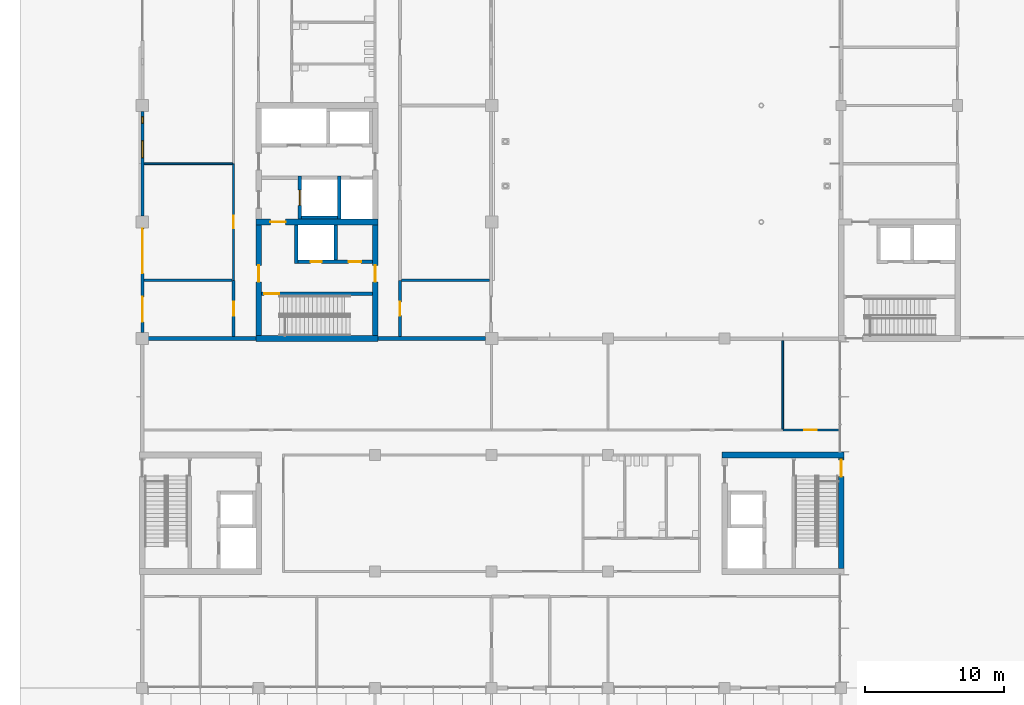
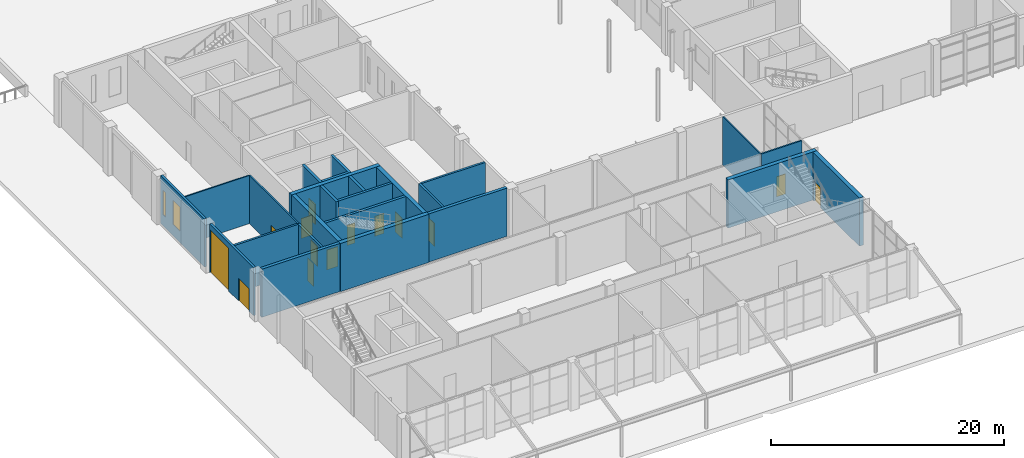
# One storey, part 34 of 76: 25 walls, 14 doors, 2 windows, 16 openings.
"""IFC4 building model written with IfcOpenShell, lengths in metres."""

from ifc_helpers import new_model, si_unit, direction, frame, frame_2d, origin, place, context, subcontext, project, spatial, rectangle, extrude, material, layer, layer_set, type_object, element, fill, save


model = new_model("IFC4")

# Units and contexts
model_context = context("Model", 3, precision=1e-05, world=origin(), true_north=direction((0.0, 1.0)))
body_context = subcontext(model_context, "Body", "Model", "MODEL_VIEW")
ifc_project = project(units=[si_unit("LENGTHUNIT", "METRE"), si_unit("AREAUNIT", "SQUARE_METRE"), si_unit("VOLUMEUNIT", "CUBIC_METRE"), si_unit("PLANEANGLEUNIT", "RADIAN"), si_unit("MASSUNIT", "GRAM", prefix="KILO")], contexts=[model_context])

# Site, building, storey
site_placement = place(None, origin())
site = spatial("IfcSite", under=ifc_project, at=site_placement, CompositionType="ELEMENT")
building_placement = place(site_placement, origin())
building = spatial("IfcBuilding", under=site, at=building_placement, Name="Hlaing Beacon Police Headquarters", CompositionType="ELEMENT")
storey_placement = place(building_placement, origin())
storey = spatial("IfcBuildingStorey", under=building, at=storey_placement, Name="L00", CompositionType="ELEMENT", Elevation=0.0)

# Walls
ifc_material_1 = material(Name="Concrete C40/50", Category="concrete")
ifc_layer_1 = layer(ifc_material_1, 0.300048828125)
ifc_layer_set_1 = layer_set([ifc_layer_1], Name="Concrete C40/50")
wall_type_1 = type_object("IfcWallType", Name="Compartment wall 300", PredefinedType="SOLIDWALL", material=ifc_layer_set_1)
for number, where, z_axis, x_axis, name in (
    (1, (33.169921875, 33.60009765625, 0.0), (0.0, 0.0, 1.0), (-1.0, 0.0, 0.0), "Compartment wall L00 N056"),
    (2, (16.60009765625, 33.60009765625, 0.0), (0.0, 0.0, 1.0), (-1.0, 0.0, 0.0), "Compartment wall L00 N057"),
):
    element("IfcWall", number, at=place(storey_placement, frame(where, z_axis=z_axis, x_axis=x_axis)), inside=storey, type_object=wall_type_1, Name=name, PredefinedType="SOLIDWALL", context=body_context, shape_type="SweptSolid", body=[
        extrude(rectangle(XDim=7.77001953125, YDim=0.300048828125, at=frame_2d((3.885009765625, 0.0))), origin(), (0.0, 0.0, 1.0), 5.050048828125),
    ])
ifc_material_2 = material(Name="Concrete C60/75", Category="concrete")
ifc_layer_2 = layer(ifc_material_2, 0.39990234375)
ifc_layer_set_2 = layer_set([ifc_layer_2], Name="Concrete C60/75")
wall_type_2 = type_object("IfcWallType", Name="Core shear wall 400", PredefinedType="SHEAR", material=ifc_layer_set_2)
wall_1_placement = place(storey_placement, frame((50.199951171875, 25.199951171875, 0.0), z_axis=(0.0, 0.0, 1.0), x_axis=(1.0, 0.0, 0.0)))
element("IfcWall", 3, at=wall_1_placement, inside=storey, type_object=wall_type_2, Name="Core shear wall", PredefinedType="SHEAR", context=body_context, shape_type="SweptSolid", body=[
    extrude(rectangle(XDim=8.800048828125, YDim=0.39990234375, at=frame_2d((4.39990234375, 0.0))), origin(), (0.0, 0.0, 1.0), 5.050048828125),
])

# Wall, opening, door
wall_2_placement = place(storey_placement, frame((58.800048828125, 17.0, 0.0), z_axis=(0.0, 0.0, 1.0), x_axis=(0.0, 1.0, 0.0)))
wall_2 = element("IfcWall", 4, at=wall_2_placement, inside=storey, type_object=wall_type_2, Name="Core shear wall", PredefinedType="SHEAR", context=body_context, shape_type="SweptSolid", body=[
    extrude(rectangle(XDim=8.0, YDim=0.39990234375, at=frame_2d((4.0, 0.0))), origin(), (0.0, 0.0, 1.0), 5.050048828125),
])
opening_1_placement = place(wall_2_placement, frame((6.64990234375, 0.0, 0.0)))
opening_1 = element("IfcOpeningElement", 5, at=opening_1_placement, cuts=wall_2, Name="Opening L00-944", PredefinedType="OPENING", context=body_context, shape_type="SweptSolid", body=[
    extrude(rectangle(XDim=1.199951171875, YDim=2.10009765625, at=frame_2d((0.60009765625, 1.050048828125))), frame((0.0, 0.2099609375, 0.0), z_axis=(0.0, -1.0, 0.0), x_axis=(1.0, 0.0, 0.0)), (0.0, 0.0, 1.0), 0.419921875),
])
ifc_material_3 = material(Name="Steel fire door leaf", Category="steel")
ifc_layer_3 = layer(ifc_material_3, 0.070068359375)
ifc_layer_set_3 = layer_set([ifc_layer_3], Name="Steel fire door leaf")
door_type_1 = type_object("IfcDoorType", Name="Steel fire door FD60 1200x2100", OperationType="SINGLE_SWING_LEFT", PredefinedType="DOOR", material=ifc_layer_set_3)
door_1_placement = place(opening_1_placement, frame((1.199951171875, 0.0, 0.0), z_axis=(0.0, 0.0, 1.0), x_axis=(-1.0, 0.0, 0.0)))
door_1 = element("IfcDoor", 6, at=door_1_placement, inside=storey, type_object=door_type_1, Name="Door Stair ST-K Exit", OperationType="SINGLE_SWING_RIGHT", OverallHeight=2.10009765625, OverallWidth=1.199951171875, PredefinedType="DOOR", context=body_context, shape_type="SweptSolid", body=[
    extrude(rectangle(XDim=1.199951171875, YDim=2.10009765625, at=frame_2d((0.599853515625, 1.050048828125))), frame((0.0, 0.034912109375, 0.0), z_axis=(0.0, -1.0, 0.0), x_axis=(1.0, 0.0, 0.0)), (0.0, 0.0, 1.0), 0.070068359375),
])
fill(opening_1, door_1)

wall_3_placement = place(storey_placement, frame((16.60009765625, 42.0, 0.0), z_axis=(0.0, 0.0, 1.0), x_axis=(1.0, 0.0, 0.0)))
wall_3 = element("IfcWall", 7, at=wall_3_placement, inside=storey, type_object=wall_type_2, Name="Core shear wall", PredefinedType="SHEAR", context=body_context, shape_type="SweptSolid", body=[
    extrude(rectangle(XDim=8.7998046875, YDim=0.39990234375, at=frame_2d((4.39990234375, 0.0))), origin(), (0.0, 0.0, 1.0), 5.050048828125),
])
opening_2_placement = place(wall_3_placement, frame((1.050048828125, 0.0, 0.0)))
opening_2 = element("IfcOpeningElement", 8, at=opening_2_placement, cuts=wall_3, Name="Opening L00-963", PredefinedType="OPENING", context=body_context, shape_type="SweptSolid", body=[
    extrude(rectangle(XDim=1.10009765625, YDim=2.10009765625, at=frame_2d((0.550048828125, 1.050048828125))), frame((0.0, 0.2099609375, 0.0), z_axis=(0.0, -1.0, 0.0), x_axis=(1.0, 0.0, 0.0)), (0.0, 0.0, 1.0), 0.419921875),
])
ifc_material_4 = material(Name="Steel fire door leaf", Category="steel")
ifc_layer_4 = layer(ifc_material_4, 0.070068359375)
ifc_layer_set_4 = layer_set([ifc_layer_4], Name="Steel fire door leaf")
door_type_2 = type_object("IfcDoorType", Name="Steel fire door FD60S 1100x2100", OperationType="SINGLE_SWING_LEFT", PredefinedType="DOOR", material=ifc_layer_set_4)
door_2_placement = place(opening_2_placement, frame((1.10009765625, 0.0, 0.0), z_axis=(0.0, 0.0, 1.0), x_axis=(-1.0, 0.0, 0.0)))
door_2 = element("IfcDoor", 9, at=door_2_placement, inside=storey, type_object=door_type_2, Name="Door Firefighting Lobby Stair", OperationType="SINGLE_SWING_LEFT", OverallHeight=2.10009765625, OverallWidth=1.10009765625, PredefinedType="DOOR", context=body_context, shape_type="SweptSolid", body=[
    extrude(rectangle(XDim=1.10009765625, YDim=2.10009765625, at=frame_2d((0.550048828125, 1.050048828125))), frame((0.0, 0.034912109375, 0.0), z_axis=(0.0, -1.0, 0.0), x_axis=(1.0, 0.0, 0.0)), (0.0, 0.0, 1.0), 0.070068359375),
])
fill(opening_2, door_2)

# Wall
wall_4_placement = place(storey_placement, frame((16.60009765625, 33.60009765625, 0.0), z_axis=(0.0, 0.0, 1.0), x_axis=(1.0, 0.0, 0.0)))
element("IfcWall", 10, at=wall_4_placement, inside=storey, type_object=wall_type_2, Name="Core shear wall", PredefinedType="SHEAR", context=body_context, shape_type="SweptSolid", body=[
    extrude(rectangle(XDim=8.7998046875, YDim=0.39990234375, at=frame_2d((4.39990234375, 0.0))), origin(), (0.0, 0.0, 1.0), 5.050048828125),
])

# Wall, opening, door
wall_5_placement = place(storey_placement, frame((16.800048828125, 33.800048828125, 0.0), z_axis=(0.0, 0.0, 1.0), x_axis=(0.0, 1.0, 0.0)))
wall_5 = element("IfcWall", 11, at=wall_5_placement, inside=storey, type_object=wall_type_2, Name="Core shear wall", PredefinedType="SHEAR", context=body_context, shape_type="SweptSolid", body=[
    extrude(rectangle(XDim=8.0, YDim=0.39990234375, at=frame_2d((4.0, 0.0))), origin(), (0.0, 0.0, 1.0), 5.050048828125),
])
opening_3_placement = place(wall_5_placement, frame((3.875, 0.0, 0.0)))
opening_3 = element("IfcOpeningElement", 12, at=opening_3_placement, cuts=wall_5, Name="Opening L00-973", PredefinedType="OPENING", context=body_context, shape_type="SweptSolid", body=[
    extrude(rectangle(XDim=1.199951171875, YDim=2.10009765625, at=frame_2d((0.60009765625, 1.050048828125))), frame((0.0, 0.2099609375, 0.0), z_axis=(0.0, -1.0, 0.0), x_axis=(1.0, 0.0, 0.0)), (0.0, 0.0, 1.0), 0.419921875),
])
ifc_material_5 = material(Name="Steel fire door leaf", Category="steel")
ifc_layer_5 = layer(ifc_material_5, 0.070068359375)
ifc_layer_set_5 = layer_set([ifc_layer_5], Name="Steel fire door leaf")
door_type_3 = type_object("IfcDoorType", Name="Steel fire door FD60S 1200x2100", OperationType="SINGLE_SWING_LEFT", PredefinedType="DOOR", material=ifc_layer_set_5)
door_3_placement = place(opening_3_placement, frame((1.199951171875, 0.0, 0.0), z_axis=(0.0, 0.0, 1.0), x_axis=(-1.0, 0.0, 0.0)))
door_3 = element("IfcDoor", 13, at=door_3_placement, inside=storey, type_object=door_type_3, Name="Door Stair Lobby ST-N Entry", OperationType="SINGLE_SWING_RIGHT", OverallHeight=2.10009765625, OverallWidth=1.199951171875, PredefinedType="DOOR", context=body_context, shape_type="SweptSolid", body=[
    extrude(rectangle(XDim=1.199951171875, YDim=2.10009765625, at=frame_2d((0.599853515625, 1.050048828125))), frame((0.0, 0.034912109375, 0.0), z_axis=(0.0, -1.0, 0.0), x_axis=(1.0, 0.0, 0.0)), (0.0, 0.0, 1.0), 0.070068359375),
])
fill(opening_3, door_3)

wall_6_placement = place(storey_placement, frame((25.199951171875, 33.800048828125, 0.0), z_axis=(0.0, 0.0, 1.0), x_axis=(0.0, 1.0, 0.0)))
wall_6 = element("IfcWall", 14, at=wall_6_placement, inside=storey, type_object=wall_type_2, Name="Core shear wall", PredefinedType="SHEAR", context=body_context, shape_type="SweptSolid", body=[
    extrude(rectangle(XDim=8.0, YDim=0.39990234375, at=frame_2d((4.0, 0.0))), origin(), (0.0, 0.0, 1.0), 5.050048828125),
])
opening_4_placement = place(wall_6_placement, frame((3.875, 0.0, 0.0)))
opening_4 = element("IfcOpeningElement", 15, at=opening_4_placement, cuts=wall_6, Name="Opening L00-974", PredefinedType="OPENING", context=body_context, shape_type="SweptSolid", body=[
    extrude(rectangle(XDim=1.199951171875, YDim=2.10009765625, at=frame_2d((0.60009765625, 1.050048828125))), frame((0.0, 0.2099609375, 0.0), z_axis=(0.0, -1.0, 0.0), x_axis=(1.0, 0.0, 0.0)), (0.0, 0.0, 1.0), 0.419921875),
])
door_4_placement = place(opening_4_placement, origin())
door_4 = element("IfcDoor", 16, at=door_4_placement, inside=storey, type_object=door_type_3, Name="Door Stair Lobby ST-N Entry", OperationType="SINGLE_SWING_LEFT", OverallHeight=2.10009765625, OverallWidth=1.199951171875, PredefinedType="DOOR", context=body_context, shape_type="SweptSolid", body=[
    extrude(rectangle(XDim=1.199951171875, YDim=2.10009765625, at=frame_2d((0.60009765625, 1.050048828125))), frame((0.0, 0.03515625, 0.0), z_axis=(0.0, -1.0, 0.0), x_axis=(1.0, 0.0, 0.0)), (0.0, 0.0, 1.0), 0.070068359375),
])
fill(opening_4, door_4)

ifc_material_6 = material(Name="Gypsum board partition")
ifc_layer_6 = layer(ifc_material_6, 0.14990234375)
ifc_layer_set_6 = layer_set([ifc_layer_6], Name="Gypsum board partition")
wall_type_3 = type_object("IfcWallType", Name="Corridor wall EI 30 150", PredefinedType="PARTITIONING", material=ifc_layer_set_6)
wall_7_placement = place(storey_placement, frame((54.60009765625, 27.0, 0.0), z_axis=(0.0, 0.0, 1.0), x_axis=(1.0, 0.0, 0.0)))
wall_7 = element("IfcWall", 17, at=wall_7_placement, inside=storey, type_object=wall_type_3, Name="Corridor wall EI 30 150", PredefinedType="PARTITIONING", context=body_context, shape_type="SweptSolid", body=[
    extrude(rectangle(XDim=4.0498046875, YDim=0.14990234375, at=frame_2d((2.02490234375, 0.0))), origin(), (0.0, 0.0, 1.0), 5.050048828125),
])
opening_5_placement = place(wall_7_placement, frame((1.550048828125, 0.0, 0.0)))
opening_5 = element("IfcOpeningElement", 18, at=opening_5_placement, cuts=wall_7, Name="Opening L00-038", PredefinedType="OPENING", context=body_context, shape_type="SweptSolid", body=[
    extrude(rectangle(XDim=0.89990234375, YDim=2.10009765625, at=frame_2d((0.449951171875, 1.050048828125))), frame((0.0, 0.0849609375, 0.0), z_axis=(0.0, -1.0, 0.0), x_axis=(1.0, 0.0, 0.0)), (0.0, 0.0, 1.0), 0.169921875),
])
ifc_material_7 = material(Name="Hardwood door leaf", Category="wood")
ifc_layer_7 = layer(ifc_material_7, 0.050048828125)
ifc_layer_set_7 = layer_set([ifc_layer_7], Name="Hardwood door leaf")
door_type_4 = type_object("IfcDoorType", Name="Fire door FD30S 900x2100", OperationType="SINGLE_SWING_LEFT", PredefinedType="DOOR", material=ifc_layer_set_7)
door_5_placement = place(opening_5_placement, origin())
door_5 = element("IfcDoor", 19, at=door_5_placement, inside=storey, type_object=door_type_4, Name="Door Lost Property Office", OperationType="SINGLE_SWING_LEFT", OverallHeight=2.10009765625, OverallWidth=0.89990234375, PredefinedType="DOOR", context=body_context, shape_type="SweptSolid", body=[
    extrude(rectangle(XDim=0.89990234375, YDim=2.10009765625, at=frame_2d((0.449951171875, 1.050048828125))), frame((0.0, 0.02490234375, 0.0), z_axis=(0.0, -1.0, 0.0), x_axis=(1.0, 0.0, 0.0)), (0.0, 0.0, 1.0), 0.050048828125),
])
fill(opening_5, door_5)

wall_8_placement = place(storey_placement, frame((15.0, 37.800048828125, 0.0), z_axis=(0.0, 0.0, 1.0), x_axis=(0.0, 1.0, 0.0)))
wall_8 = element("IfcWall", 20, at=wall_8_placement, inside=storey, type_object=wall_type_3, Name="Corridor wall EI 30 150", PredefinedType="PARTITIONING", context=body_context, shape_type="SweptSolid", body=[
    extrude(rectangle(XDim=8.39990234375, YDim=0.14990234375, at=frame_2d((4.199951171875, 0.0))), origin(), (0.0, 0.0, 1.0), 5.050048828125),
])
opening_6_placement = place(wall_8_placement, frame((3.75, 0.0, 0.0)))
opening_6 = element("IfcOpeningElement", 21, at=opening_6_placement, cuts=wall_8, Name="Opening L00-074", PredefinedType="OPENING", context=body_context, shape_type="SweptSolid", body=[
    extrude(rectangle(XDim=0.89990234375, YDim=2.10009765625, at=frame_2d((0.449951171875, 1.050048828125))), frame((0.0, 0.0849609375, 0.0), z_axis=(0.0, -1.0, 0.0), x_axis=(1.0, 0.0, 0.0)), (0.0, 0.0, 1.0), 0.169921875),
])
door_6_placement = place(opening_6_placement, origin())
door_6 = element("IfcDoor", 22, at=door_6_placement, inside=storey, type_object=door_type_4, Name="Door Forensic Loading Dock", OperationType="SINGLE_SWING_RIGHT", OverallHeight=2.10009765625, OverallWidth=0.89990234375, PredefinedType="DOOR", context=body_context, shape_type="SweptSolid", body=[
    extrude(rectangle(XDim=0.89990234375, YDim=2.10009765625, at=frame_2d((0.449951171875, 1.050048828125))), frame((0.0, 0.02490234375, 0.0), z_axis=(0.0, -1.0, 0.0), x_axis=(1.0, 0.0, 0.0)), (0.0, 0.0, 1.0), 0.050048828125),
])
fill(opening_6, door_6)

ifc_material_8 = material(Name="Concrete blockwork 7.5 N/mm2", Category="masonry")
ifc_layer_8 = layer(ifc_material_8, 0.199951171875)
ifc_layer_set_8 = layer_set([ifc_layer_8], Name="Concrete blockwork 7.5 N/mm2")
wall_type_4 = type_object("IfcWallType", Name="Lobby wall EI 120 200", PredefinedType="PARTITIONING", material=ifc_layer_set_8)
wall_9_placement = place(storey_placement, frame((27.0, 33.75, 0.0), z_axis=(0.0, 0.0, 1.0), x_axis=(0.0, 1.0, 0.0)))
wall_9 = element("IfcWall", 23, at=wall_9_placement, inside=storey, type_object=wall_type_4, Name="Lobby wall EI 120 200", PredefinedType="PARTITIONING", context=body_context, shape_type="SweptSolid", body=[
    extrude(rectangle(XDim=4.050048828125, YDim=0.199951171875, at=frame_2d((2.02490234375, 0.0))), origin(), (0.0, 0.0, 1.0), 5.050048828125),
])
opening_7_placement = place(wall_9_placement, frame((1.5, 0.0, 0.0)))
opening_7 = element("IfcOpeningElement", 24, at=opening_7_placement, cuts=wall_9, Name="Opening L00-064", PredefinedType="OPENING", context=body_context, shape_type="SweptSolid", body=[
    extrude(rectangle(XDim=1.0, YDim=2.39990234375, at=frame_2d((0.5, 1.199951171875))), frame((0.0, 0.10986328125, 0.0), z_axis=(0.0, -1.0, 0.0), x_axis=(1.0, 0.0, 0.0)), (0.0, 0.0, 1.0), 0.219970703125),
])
ifc_material_9 = material(Name="Hardwood door leaf", Category="wood")
ifc_layer_9 = layer(ifc_material_9, 0.06005859375)
ifc_layer_set_9 = layer_set([ifc_layer_9], Name="Hardwood door leaf")
door_type_5 = type_object("IfcDoorType", Name="Fire public door FD60S 1000x2400", OperationType="SINGLE_SWING_LEFT", PredefinedType="DOOR", material=ifc_layer_set_9)
door_7_placement = place(opening_7_placement, frame((1.0, 0.0, 0.0), z_axis=(0.0, 0.0, 1.0), x_axis=(-1.0, 0.0, 0.0)))
door_7 = element("IfcDoor", 25, at=door_7_placement, inside=storey, type_object=door_type_5, Name="Door Forensic Laboratory Reception", OperationType="SINGLE_SWING_RIGHT", OverallHeight=2.39990234375, OverallWidth=1.0, PredefinedType="DOOR", context=body_context, shape_type="SweptSolid", body=[
    extrude(rectangle(XDim=1.0, YDim=2.39990234375, at=frame_2d((0.5, 1.199951171875))), frame((0.0, 0.030029296875, 0.0), z_axis=(0.0, -1.0, 0.0), x_axis=(1.0, 0.0, 0.0)), (0.0, 0.0, 1.0), 0.06005859375),
])
fill(opening_7, door_7)

wall_10_placement = place(storey_placement, frame((15.0, 33.75, 0.0), z_axis=(0.0, 0.0, 1.0), x_axis=(0.0, 1.0, 0.0)))
wall_10 = element("IfcWall", 26, at=wall_10_placement, inside=storey, type_object=wall_type_4, Name="Lobby wall EI 120 200", PredefinedType="PARTITIONING", context=body_context, shape_type="SweptSolid", body=[
    extrude(rectangle(XDim=4.050048828125, YDim=0.199951171875, at=frame_2d((2.02490234375, 0.0))), origin(), (0.0, 0.0, 1.0), 5.050048828125),
])
opening_8_placement = place(wall_10_placement, frame((1.5, 0.0, 0.0)))
opening_8 = element("IfcOpeningElement", 27, at=opening_8_placement, cuts=wall_10, Name="Opening L00-073", PredefinedType="OPENING", context=body_context, shape_type="SweptSolid", body=[
    extrude(rectangle(XDim=1.0, YDim=2.39990234375, at=frame_2d((0.5, 1.199951171875))), frame((0.0, 0.10986328125, 0.0), z_axis=(0.0, -1.0, 0.0), x_axis=(1.0, 0.0, 0.0)), (0.0, 0.0, 1.0), 0.219970703125),
])
door_8_placement = place(opening_8_placement, origin())
door_8 = element("IfcDoor", 28, at=door_8_placement, inside=storey, type_object=door_type_5, Name="Door Exit Lobby ST-N", OperationType="SINGLE_SWING_LEFT", OverallHeight=2.39990234375, OverallWidth=1.0, PredefinedType="DOOR", context=body_context, shape_type="SweptSolid", body=[
    extrude(rectangle(XDim=1.0, YDim=2.39990234375, at=frame_2d((0.5, 1.199951171875))), frame((0.0, 0.030029296875, 0.0), z_axis=(0.0, -1.0, 0.0), x_axis=(1.0, 0.0, 0.0)), (0.0, 0.0, 1.0), 0.06005859375),
])
fill(opening_8, door_8)

# Walls
for number, where, z_axis, x_axis, name in (
    (29, (27.10009765625, 37.800048828125, 0.0), (0.0, 0.0, 1.0), (1.0, 0.0, 0.0), "Lobby wall EI 120 200"),
    (30, (8.550048828125, 37.800048828125, 0.0), (0.0, 0.0, 1.0), (1.0, 0.0, 0.0), "Lobby wall EI 120 200"),
):
    element("IfcWall", number, at=place(storey_placement, frame(where, z_axis=z_axis, x_axis=x_axis)), inside=storey, type_object=wall_type_4, Name=name, PredefinedType="PARTITIONING", context=body_context, shape_type="SweptSolid", body=[
        extrude(rectangle(XDim=6.349853515625, YDim=0.199951171875, at=frame_2d((3.1748046875, 0.0))), origin(), (0.0, 0.0, 1.0), 5.050048828125),
    ])
ifc_material_10 = material(Name="Gypsum board partition")
ifc_layer_10 = layer(ifc_material_10, 0.125)
ifc_layer_set_10 = layer_set([ifc_layer_10], Name="Gypsum board partition")
wall_type_5 = type_object("IfcWallType", Name="Partition 125", PredefinedType="PARTITIONING", material=ifc_layer_set_10)
for number, where, z_axis, x_axis, name in (
    (31, (54.60009765625, 27.074951171875, 0.0), (0.0, 0.0, 1.0), (0.0, 1.0, 0.0), "Partition 125"),
    (32, (8.550048828125, 46.199951171875, 0.0), (0.0, 0.0, 1.0), (1.0, 0.0, 0.0), "Partition 125"),
):
    element("IfcWall", number, at=place(storey_placement, frame(where, z_axis=z_axis, x_axis=x_axis)), inside=storey, type_object=wall_type_5, Name=name, PredefinedType="PARTITIONING", context=body_context, shape_type="SweptSolid", body=[
        extrude(rectangle(XDim=6.375, YDim=0.125, at=frame_2d((3.1875, 0.0))), origin(), (0.0, 0.0, 1.0), 5.050048828125),
    ])

# Wall, openings, windows
ifc_material_11 = material(Name="Fibre cement ribbed cladding on insulated frame")
ifc_layer_11 = layer(ifc_material_11, 0.22509765625)
ifc_layer_set_11 = layer_set([ifc_layer_11], Name="Fibre cement ribbed cladding on insulated frame")
wall_type_6 = type_object("IfcWallType", Name="Ribbed fibre-cement clad wall 225", PredefinedType="SOLIDWALL", material=ifc_layer_set_11)
wall_11_placement = place(storey_placement, frame((8.4375, 49.969970703125, 0.0), z_axis=(0.0, 0.0, 1.0), x_axis=(0.0, -1.0, 0.0)))
wall_11 = element("IfcWall", 33, at=wall_11_placement, inside=storey, type_object=wall_type_6, Name="External wall L00 W012", PredefinedType="SOLIDWALL", context=body_context, shape_type="SweptSolid", body=[
    extrude(rectangle(XDim=7.5400390625, YDim=0.22509765625, at=frame_2d((3.77001953125, 0.0))), origin(), (0.0, 0.0, 1.0), 5.050048828125),
])
opening_9_placement = place(wall_11_placement, frame((0.39501953125, 0.0, 1.199951171875)))
opening_9 = element("IfcOpeningElement", 34, at=opening_9_placement, cuts=wall_11, Name="Opening WN6", PredefinedType="OPENING", context=body_context, shape_type="SweptSolid", body=[
    extrude(rectangle(XDim=0.449951171875, YDim=2.550048828125, at=frame_2d((0.22509765625, 1.27490234375))), frame((0.0, 0.12255859375, 0.0), z_axis=(0.0, -1.0, 0.0), x_axis=(1.0, 0.0, 0.0)), (0.0, 0.0, 1.0), 0.2451171875),
])
opening_10_placement = place(wall_11_placement, frame((2.1201171875, 0.0, 1.199951171875)))
opening_10 = element("IfcOpeningElement", 35, at=opening_10_placement, cuts=wall_11, Name="Opening WN7", PredefinedType="OPENING", context=body_context, shape_type="SweptSolid", body=[
    extrude(rectangle(XDim=1.199951171875, YDim=2.550048828125, at=frame_2d((0.60009765625, 1.27490234375))), frame((0.0, 0.12255859375, 0.0), z_axis=(0.0, -1.0, 0.0), x_axis=(1.0, 0.0, 0.0)), (0.0, 0.0, 1.0), 0.2451171875),
])
ifc_material_12 = material(Name="Aluminium frame with solar control glazing", Category="aluminium")
window_type_1 = type_object("IfcWindowType", Name="Module window 1200x2550 frame 100", PartitioningType="SINGLE_PANEL", PredefinedType="WINDOW", material=ifc_material_12)
window_1_placement = place(opening_10_placement, origin())
window_1 = element("IfcWindow", 36, at=window_1_placement, inside=storey, type_object=window_type_1, Name="Window L00 WC", OverallHeight=2.550048828125, OverallWidth=1.199951171875, PartitioningType="SINGLE_PANEL", PredefinedType="WINDOW", context=body_context, shape_type="SweptSolid", body=[
    extrude(rectangle(XDim=1.199951171875, YDim=2.550048828125, at=frame_2d((0.60009765625, 1.27490234375))), frame((0.0, 0.050048828125, 0.0), z_axis=(0.0, -1.0, 0.0), x_axis=(1.0, 0.0, 0.0)), (0.0, 0.0, 1.0), 0.10009765625),
])
fill(opening_10, window_1)
ifc_material_13 = material(Name="Aluminium frame with solar control glazing", Category="aluminium")
window_type_2 = type_object("IfcWindowType", Name="Slot window 450x2550 frame 100", PartitioningType="SINGLE_PANEL", PredefinedType="WINDOW", material=ifc_material_13)
window_2_placement = place(opening_9_placement, origin())
window_2 = element("IfcWindow", 37, at=window_2_placement, inside=storey, type_object=window_type_2, Name="Window L00 WS", OverallHeight=2.550048828125, OverallWidth=0.449951171875, PartitioningType="SINGLE_PANEL", PredefinedType="WINDOW", context=body_context, shape_type="SweptSolid", body=[
    extrude(rectangle(XDim=0.449951171875, YDim=2.550048828125, at=frame_2d((0.22509765625, 1.27490234375))), frame((0.0, 0.050048828125, 0.0), z_axis=(0.0, -1.0, 0.0), x_axis=(1.0, 0.0, 0.0)), (0.0, 0.0, 1.0), 0.10009765625),
])
fill(opening_9, window_2)

# Wall, openings, doors
wall_12_placement = place(storey_placement, frame((8.4375, 41.570068359375, 0.0), z_axis=(0.0, 0.0, 1.0), x_axis=(0.0, -1.0, 0.0)))
wall_12 = element("IfcWall", 38, at=wall_12_placement, inside=storey, type_object=wall_type_6, Name="External wall L00 W013", PredefinedType="SOLIDWALL", context=body_context, shape_type="SweptSolid", body=[
    extrude(rectangle(XDim=7.5400390625, YDim=0.22509765625, at=frame_2d((3.77001953125, 0.0))), origin(), (0.0, 0.0, 1.0), 5.050048828125),
])
opening_11_placement = place(wall_12_placement, frame((0.070068359375, 0.0, 0.0)))
opening_11 = element("IfcOpeningElement", 39, at=opening_11_placement, cuts=wall_12, Name="Opening L00-803", PredefinedType="OPENING", context=body_context, shape_type="SweptSolid", body=[
    extrude(rectangle(XDim=3.199951171875, YDim=4.5, at=frame_2d((1.60009765625, 2.25))), frame((0.0, 0.12255859375, 0.0), z_axis=(0.0, -1.0, 0.0), x_axis=(1.0, 0.0, 0.0)), (0.0, 0.0, 1.0), 0.2451171875),
])
opening_12_placement = place(wall_12_placement, frame((4.969970703125, 0.0, 0.0)))
opening_12 = element("IfcOpeningElement", 40, at=opening_12_placement, cuts=wall_12, Name="Opening L00-804", PredefinedType="OPENING", context=body_context, shape_type="SweptSolid", body=[
    extrude(rectangle(XDim=1.800048828125, YDim=2.39990234375, at=frame_2d((0.89990234375, 1.199951171875))), frame((0.0, 0.12255859375, 0.0), z_axis=(0.0, -1.0, 0.0), x_axis=(1.0, 0.0, 0.0)), (0.0, 0.0, 1.0), 0.2451171875),
])
ifc_material_14 = material(Name="Aluminium framed glazed door", Category="aluminium")
door_type_6 = type_object("IfcDoorType", Name="Entrance door 1800x2400 double", OperationType="DOUBLE_DOOR_DOUBLE_SWING", PredefinedType="DOOR", material=ifc_material_14)
door_9_placement = place(opening_12_placement, frame((1.800048828125, 0.0, 0.0), z_axis=(0.0, 0.0, 1.0), x_axis=(-1.0, 0.0, 0.0)))
door_9 = element("IfcDoor", 41, at=door_9_placement, inside=storey, type_object=door_type_6, Name="Door Exit Lobby ST-N", OperationType="DOUBLE_DOOR_DOUBLE_SWING", OverallHeight=2.39990234375, OverallWidth=1.800048828125, PredefinedType="DOOR", context=body_context, shape_type="SweptSolid", body=[
    extrude(rectangle(XDim=1.800048828125, YDim=2.39990234375, at=frame_2d((0.900146484375, 1.199951171875))), frame((0.0, 0.025146484375, 0.0), z_axis=(0.0, -1.0, 0.0), x_axis=(1.0, 0.0, 0.0)), (0.0, 0.0, 1.0), 0.050048828125),
])
fill(opening_12, door_9)
ifc_material_15 = material(Name="Galvanised steel roller shutter", Category="steel")
door_type_7 = type_object("IfcDoorType", Name="Vehicle gate 3200x4500", OperationType="ROLLINGUP", PredefinedType="GATE", material=ifc_material_15)
door_10_placement = place(opening_11_placement, frame((3.199951171875, 0.0, 0.0), z_axis=(0.0, 0.0, 1.0), x_axis=(-1.0, 0.0, 0.0)))
door_10 = element("IfcDoor", 42, at=door_10_placement, inside=storey, type_object=door_type_7, Name="Door Forensic Loading Dock", OperationType="ROLLINGUP", OverallHeight=4.5, OverallWidth=3.199951171875, PredefinedType="GATE", context=body_context, shape_type="SweptSolid", body=[
    extrude(rectangle(XDim=3.199951171875, YDim=4.5, at=frame_2d((1.599853515625, 2.25))), frame((0.0, 0.025146484375, 0.0), z_axis=(0.0, -1.0, 0.0), x_axis=(1.0, 0.0, 0.0)), (0.0, 0.0, 1.0), 0.050048828125),
])
fill(opening_11, door_10)

# Wall, opening, door
ifc_material_16 = material(Name="Concrete C40/50", Category="concrete")
ifc_layer_12 = layer(ifc_material_16, 0.25)
ifc_layer_set_12 = layer_set([ifc_layer_12], Name="Concrete C40/50")
wall_type_7 = type_object("IfcWallType", Name="Shaft wall 250", PredefinedType="SOLIDWALL", material=ifc_layer_set_12)
wall_13_placement = place(storey_placement, frame((17.0, 36.824951171875, 0.0), z_axis=(0.0, 0.0, 1.0), x_axis=(1.0, 0.0, 0.0)))
wall_13 = element("IfcWall", 43, at=wall_13_placement, inside=storey, type_object=wall_type_7, Name="Stair enclosure wall", PredefinedType="SOLIDWALL", context=body_context, shape_type="SweptSolid", body=[
    extrude(rectangle(XDim=8.0, YDim=0.25, at=frame_2d((4.0, 0.0))), origin(), (0.0, 0.0, 1.0), 5.050048828125),
])
opening_13_placement = place(wall_13_placement, frame((0.199951171875, 0.0, 0.0)))
opening_13 = element("IfcOpeningElement", 44, at=opening_13_placement, cuts=wall_13, Name="Opening L00-976", PredefinedType="OPENING", context=body_context, shape_type="SweptSolid", body=[
    extrude(rectangle(XDim=1.10009765625, YDim=2.10009765625, at=frame_2d((0.550048828125, 1.050048828125))), frame((0.0, 0.135009765625, 0.0), z_axis=(0.0, -1.0, 0.0), x_axis=(1.0, 0.0, 0.0)), (0.0, 0.0, 1.0), 0.27001953125),
])
ifc_material_17 = material(Name="Steel fire door leaf", Category="steel")
ifc_layer_13 = layer(ifc_material_17, 0.070068359375)
ifc_layer_set_13 = layer_set([ifc_layer_13], Name="Steel fire door leaf")
door_type_8 = type_object("IfcDoorType", Name="Steel fire door FD60 1100x2100", OperationType="SINGLE_SWING_LEFT", PredefinedType="DOOR", material=ifc_layer_set_13)
door_11_placement = place(opening_13_placement, frame((1.10009765625, 0.0, 0.0), z_axis=(0.0, 0.0, 1.0), x_axis=(-1.0, 0.0, 0.0)))
door_11 = element("IfcDoor", 45, at=door_11_placement, inside=storey, type_object=door_type_8, Name="Door Stair ST-N", OperationType="SINGLE_SWING_LEFT", OverallHeight=2.10009765625, OverallWidth=1.10009765625, PredefinedType="DOOR", context=body_context, shape_type="SweptSolid", body=[
    extrude(rectangle(XDim=1.10009765625, YDim=2.10009765625, at=frame_2d((0.550048828125, 1.050048828125))), frame((0.0, 0.034912109375, 0.0), z_axis=(0.0, -1.0, 0.0), x_axis=(1.0, 0.0, 0.0)), (0.0, 0.0, 1.0), 0.070068359375),
])
fill(opening_13, door_11)

# Wall
wall_14_placement = place(storey_placement, frame((19.52490234375, 39.0, 0.0), z_axis=(0.0, 0.0, 1.0), x_axis=(0.0, 1.0, 0.0)))
element("IfcWall", 46, at=wall_14_placement, inside=storey, type_object=wall_type_7, Name="Lobby wall", PredefinedType="SOLIDWALL", context=body_context, shape_type="SweptSolid", body=[
    extrude(rectangle(XDim=2.800048828125, YDim=0.25, at=frame_2d((1.39990234375, 0.0))), origin(), (0.0, 0.0, 1.0), 5.050048828125),
])

# Wall, openings, doors
wall_15_placement = place(storey_placement, frame((19.64990234375, 39.125, 0.0), z_axis=(0.0, 0.0, 1.0), x_axis=(1.0, 0.0, 0.0)))
wall_15 = element("IfcWall", 47, at=wall_15_placement, inside=storey, type_object=wall_type_7, Name="Lobby wall", PredefinedType="SOLIDWALL", context=body_context, shape_type="SweptSolid", body=[
    extrude(rectangle(XDim=5.35009765625, YDim=0.25, at=frame_2d((2.675048828125, 0.0))), origin(), (0.0, 0.0, 1.0), 5.050048828125),
])
opening_14_placement = place(wall_15_placement, frame((3.64990234375, 0.0, 0.0)))
opening_14 = element("IfcOpeningElement", 48, at=opening_14_placement, cuts=wall_15, Name="Opening L00-972", PredefinedType="OPENING", context=body_context, shape_type="SweptSolid", body=[
    extrude(rectangle(XDim=0.89990234375, YDim=2.10009765625, at=frame_2d((0.449951171875, 1.050048828125))), frame((0.0, 0.135009765625, 0.0), z_axis=(0.0, -1.0, 0.0), x_axis=(1.0, 0.0, 0.0)), (0.0, 0.0, 1.0), 0.27001953125),
])
opening_15_placement = place(wall_15_placement, frame((0.89990234375, 0.0, 0.0)))
opening_15 = element("IfcOpeningElement", 49, at=opening_15_placement, cuts=wall_15, Name="Opening L00-975", PredefinedType="OPENING", context=body_context, shape_type="SweptSolid", body=[
    extrude(rectangle(XDim=0.800048828125, YDim=2.10009765625, at=frame_2d((0.39990234375, 1.050048828125))), frame((0.0, 0.135009765625, 0.0), z_axis=(0.0, -1.0, 0.0), x_axis=(1.0, 0.0, 0.0)), (0.0, 0.0, 1.0), 0.27001953125),
])
ifc_material_18 = material(Name="Steel fire door leaf", Category="steel")
ifc_layer_14 = layer(ifc_material_18, 0.070068359375)
ifc_layer_set_14 = layer_set([ifc_layer_14], Name="Steel fire door leaf")
door_type_9 = type_object("IfcDoorType", Name="Steel fire door FD60 800x2100", OperationType="SINGLE_SWING_LEFT", PredefinedType="DOOR", material=ifc_layer_set_14)
door_12_placement = place(opening_15_placement, origin())
door_12 = element("IfcDoor", 50, at=door_12_placement, inside=storey, type_object=door_type_9, Name="Door Services Riser", OperationType="SINGLE_SWING_RIGHT", OverallHeight=2.10009765625, OverallWidth=0.800048828125, PredefinedType="DOOR", context=body_context, shape_type="SweptSolid", body=[
    extrude(rectangle(XDim=0.800048828125, YDim=2.10009765625, at=frame_2d((0.39990234375, 1.050048828125))), frame((0.0, 0.03515625, 0.0), z_axis=(0.0, -1.0, 0.0), x_axis=(1.0, 0.0, 0.0)), (0.0, 0.0, 1.0), 0.070068359375),
])
fill(opening_15, door_12)
ifc_material_19 = material(Name="Steel fire door leaf", Category="steel")
ifc_layer_15 = layer(ifc_material_19, 0.070068359375)
ifc_layer_set_15 = layer_set([ifc_layer_15], Name="Steel fire door leaf")
door_type_10 = type_object("IfcDoorType", Name="Steel fire door FD60 900x2100", OperationType="SINGLE_SWING_LEFT", PredefinedType="DOOR", material=ifc_layer_set_15)
door_13_placement = place(opening_14_placement, origin())
door_13 = element("IfcDoor", 51, at=door_13_placement, inside=storey, type_object=door_type_10, Name="Door Cleaners' Store", OperationType="SINGLE_SWING_LEFT", OverallHeight=2.10009765625, OverallWidth=0.89990234375, PredefinedType="DOOR", context=body_context, shape_type="SweptSolid", body=[
    extrude(rectangle(XDim=0.89990234375, YDim=2.10009765625, at=frame_2d((0.449951171875, 1.050048828125))), frame((0.0, 0.03515625, 0.0), z_axis=(0.0, -1.0, 0.0), x_axis=(1.0, 0.0, 0.0)), (0.0, 0.0, 1.0), 0.070068359375),
])
fill(opening_14, door_13)

# Walls
wall_16_placement = place(storey_placement, frame((22.375, 39.25, 0.0), z_axis=(0.0, 0.0, 1.0), x_axis=(0.0, 1.0, 0.0)))
element("IfcWall", 52, at=wall_16_placement, inside=storey, type_object=wall_type_7, Name="Riser wall", PredefinedType="SOLIDWALL", context=body_context, shape_type="SweptSolid", body=[
    extrude(rectangle(XDim=2.550048828125, YDim=0.25, at=frame_2d((1.27490234375, 0.0))), origin(), (0.0, 0.0, 1.0), 5.050048828125),
])
wall_17_placement = place(storey_placement, frame((22.625, 42.199951171875, 0.0), z_axis=(0.0, 0.0, 1.0), x_axis=(0.0, 1.0, 0.0)))
element("IfcWall", 53, at=wall_17_placement, inside=storey, type_object=wall_type_7, Name="Lift shaft wall FL2", PredefinedType="SOLIDWALL", context=body_context, shape_type="SweptSolid", body=[
    extrude(rectangle(XDim=3.10009765625, YDim=0.25, at=frame_2d((1.550048828125, 0.0))), origin(), (0.0, 0.0, 1.0), 5.050048828125),
])
wall_18_placement = place(storey_placement, frame((19.89990234375, 42.324951171875, 0.0), z_axis=(0.0, 0.0, 1.0), x_axis=(1.0, 0.0, 0.0)))
element("IfcWall", 54, at=wall_18_placement, inside=storey, type_object=wall_type_7, Name="Lift shaft wall FL2", PredefinedType="SOLIDWALL", context=body_context, shape_type="SweptSolid", body=[
    extrude(rectangle(XDim=2.60009765625, YDim=0.25, at=frame_2d((1.300048828125, 0.0))), origin(), (0.0, 0.0, 1.0), 5.050048828125),
])

# Wall, opening, door
wall_19_placement = place(storey_placement, frame((19.77490234375, 42.199951171875, 0.0), z_axis=(0.0, 0.0, 1.0), x_axis=(0.0, 1.0, 0.0)))
wall_19 = element("IfcWall", 55, at=wall_19_placement, inside=storey, type_object=wall_type_7, Name="Lift shaft wall FL2", PredefinedType="SOLIDWALL", context=body_context, shape_type="SweptSolid", body=[
    extrude(rectangle(XDim=3.10009765625, YDim=0.25, at=frame_2d((1.550048828125, 0.0))), origin(), (0.0, 0.0, 1.0), 5.050048828125),
])
opening_16_placement = place(wall_19_placement, frame((1.0, 0.0, 0.0)))
opening_16 = element("IfcOpeningElement", 56, at=opening_16_placement, cuts=wall_19, Name="Opening LD-FL2-L00", PredefinedType="OPENING", context=body_context, shape_type="SweptSolid", body=[
    extrude(rectangle(XDim=1.10009765625, YDim=2.10009765625, at=frame_2d((0.550048828125, 1.050048828125))), frame((0.0, 0.135009765625, 0.0), z_axis=(0.0, -1.0, 0.0), x_axis=(1.0, 0.0, 0.0)), (0.0, 0.0, 1.0), 0.27001953125),
])
ifc_material_20 = material(Name="Stainless steel lift landing door", Category="steel")
ifc_layer_16 = layer(ifc_material_20, 0.06005859375)
ifc_layer_set_16 = layer_set([ifc_layer_16], Name="Stainless steel lift landing door")
door_type_11 = type_object("IfcDoorType", Name="Lift landing door 1100x2100", OperationType="DOUBLE_DOOR_SLIDING", PredefinedType="DOOR", material=ifc_layer_set_16)
door_14_placement = place(opening_16_placement, origin())
door_14 = element("IfcDoor", 57, at=door_14_placement, inside=storey, type_object=door_type_11, Name="Landing door FL2 L00", OperationType="DOUBLE_DOOR_SLIDING", OverallHeight=2.10009765625, OverallWidth=1.10009765625, PredefinedType="DOOR", context=body_context, shape_type="SweptSolid", body=[
    extrude(rectangle(XDim=1.10009765625, YDim=2.10009765625, at=frame_2d((0.550048828125, 1.050048828125))), frame((0.0, 0.0400390625, 0.0), z_axis=(0.0, -1.0, 0.0), x_axis=(1.0, 0.0, 0.0)), (0.0, 0.0, 1.0), 0.080078125),
])
fill(opening_16, door_14)

save(model, "model.ifc")
